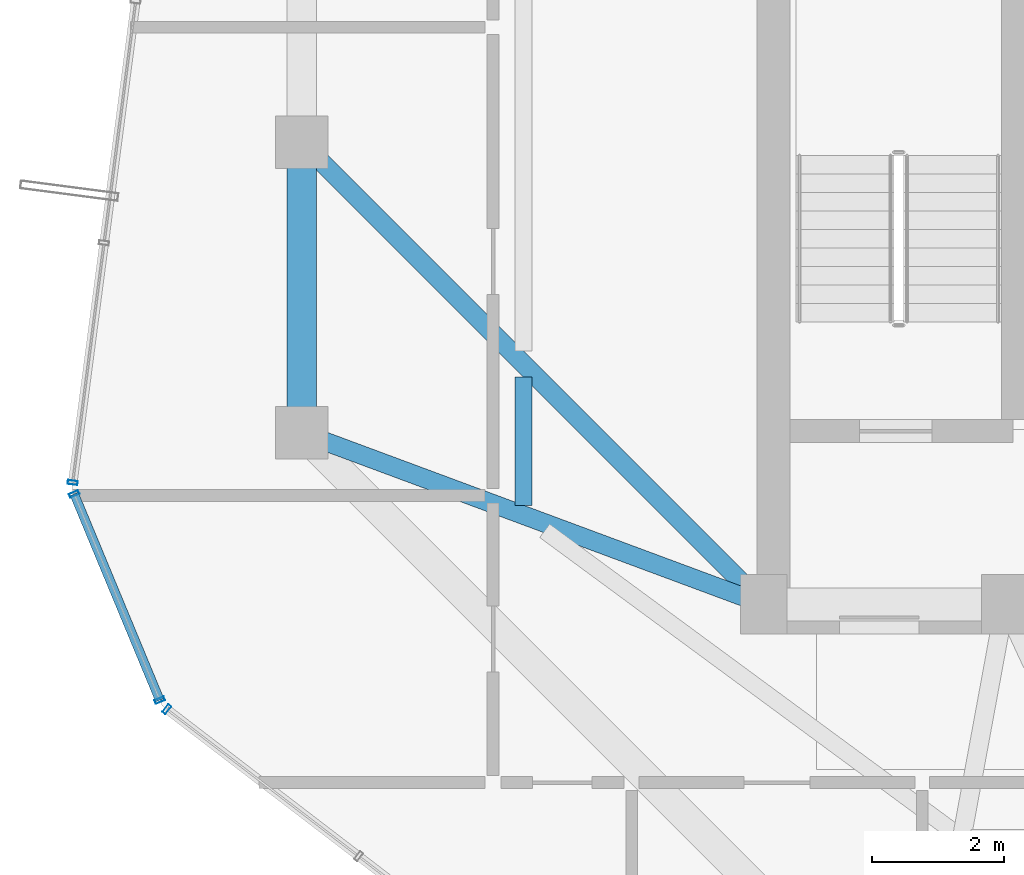
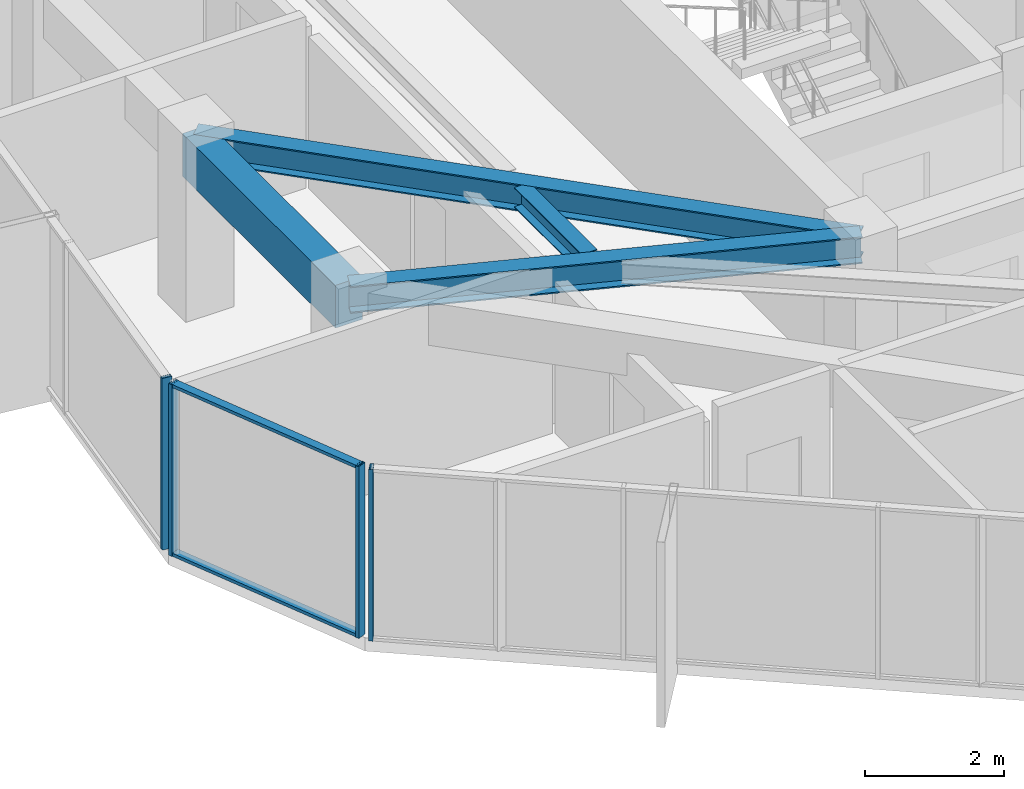
# One storey, part 6 of 31: 6 members, 4 beams, 3 elements without a shape of their own.
"""IFC4 building model written with IfcOpenShell, lengths in metres."""

from ifc_helpers import new_model, si_unit, direction, frame, origin, origin_2d, place, context, subcontext, project, spatial, rectangle, hollow_rectangle, i_section, extrude, source, transform, mapped, material, layer, layer_set, material_profile, profile_set, type_object, element, aggregate, save


model = new_model("IFC4")

# Units and contexts
model_context = context("Model", 3, precision=1e-05, world=origin(), true_north=direction((0.0, 1.0)))
body_context = subcontext(model_context, "Body", "Model", "MODEL_VIEW")
ifc_project = project(units=[si_unit("LENGTHUNIT", "METRE"), si_unit("AREAUNIT", "SQUARE_METRE"), si_unit("VOLUMEUNIT", "CUBIC_METRE"), si_unit("PLANEANGLEUNIT", "RADIAN"), si_unit("MASSUNIT", "GRAM", prefix="KILO")], contexts=[model_context])

# Site, building, storey
site_placement = place(None, origin())
site = spatial("IfcSite", under=ifc_project, at=site_placement, CompositionType="ELEMENT")
building_placement = place(site_placement, origin())
building = spatial("IfcBuilding", under=site, at=building_placement, Name="Veraguas Prism Commons", CompositionType="ELEMENT")
storey_placement = place(building_placement, frame((0.0, 0.0, 233.300048828125)))
storey = spatial("IfcBuildingStorey", under=building, at=storey_placement, Name="L66", CompositionType="ELEMENT", Elevation=233.300048828125)

# Beams
ifc_material_1 = material(Name="Concrete C50/60", Category="concrete")
ifc_material_profile_1 = material_profile(ifc_material_1, rectangle(XDim=0.449951171875, YDim=0.75, at=origin_2d()), Name="RC450X750")
ifc_profile_set_1 = profile_set([ifc_material_profile_1], Name="Concrete C50/60")
beam_type_1 = type_object("IfcBeamType", Name="Perimeter Spandrel Upper RC 450x750", PredefinedType="SPANDREL", material=ifc_profile_set_1)
beam_1_placement = place(storey_placement, frame((10.199951171875, 24.0, 2.639892578125), z_axis=(0.0, -1.0, 0.0), x_axis=(1.0, 0.0, 0.0)))
element("IfcBeam", 1, at=beam_1_placement, inside=storey, type_object=beam_type_1, Name="Perimeter Spandrel Beam L66-SP08", PredefinedType="SPANDREL", context=body_context, shape_type="SweptSolid", body=[
    extrude(rectangle(XDim=0.449951171875, YDim=0.75, at=origin_2d()), origin(), (0.0, 0.0, 1.0), 4.39990234375),
])
ifc_material_2 = material(Name="Steel ASTM A992 Grade 50", Category="steel")
ifc_material_profile_2 = material_profile(ifc_material_2, i_section(OverallWidth=0.25390625, OverallDepth=0.35302734375, WebThickness=0.009521484375, FlangeThickness=0.016357421875, at=origin_2d()), Name="W360X91")
ifc_profile_set_2 = profile_set([ifc_material_profile_2], Name="Steel ASTM A992 Grade 50")
beam_type_2 = type_object("IfcBeamType", Name="Upper Floor Joist W360x91", PredefinedType="JOIST", material=ifc_profile_set_2)
beam_2_placement = place(storey_placement, frame((13.56005859375, 20.442626953125, 2.83837890625), z_axis=(0.0, -1.0, 0.0), x_axis=(1.0, 0.0, 0.0)))
element("IfcBeam", 2, at=beam_2_placement, inside=storey, type_object=beam_type_2, Name="Composite Floor Joist L66-JS08", PredefinedType="JOIST", context=body_context, shape_type="SweptSolid", body=[
    extrude(i_section(OverallWidth=0.25390625, OverallDepth=0.35302734375, WebThickness=0.009521484375, FlangeThickness=0.016357421875, at=origin_2d()), origin(), (0.0, 0.0, 1.0), 1.94189453125),
])
ifc_material_profile_3 = material_profile(ifc_material_2, i_section(OverallWidth=0.282958984375, OverallDepth=0.471923828125, WebThickness=0.013671875, FlangeThickness=0.022216796875, at=origin_2d()), Name="W460X144")
ifc_profile_set_3 = profile_set([ifc_material_profile_3], Name="Steel ASTM A992 Grade 50")
beam_type_3 = type_object("IfcBeamType", Name="Zone 4 Radial Girder W460x144", PredefinedType="BEAM", material=ifc_profile_set_3)
beam_3_placement = place(storey_placement, frame((10.199951171875, 24.0, 2.779052734375), z_axis=(0.707106781187, -0.707106781187, 0.0), x_axis=(0.707106781187, 0.707106781187, 0.0)))
element("IfcBeam", 3, at=beam_3_placement, inside=storey, type_object=beam_type_3, Name="Radial Floor Girder L66-RD08", PredefinedType="BEAM", context=body_context, shape_type="SweptSolid", body=[
    extrude(i_section(OverallWidth=0.282958984375, OverallDepth=0.471923828125, WebThickness=0.013671875, FlangeThickness=0.022216796875, at=origin_2d()), origin(), (0.0, 0.0, 1.0), 9.8994140625),
])
beam_4_placement = place(storey_placement, frame((10.199951171875, 19.60009765625, 2.779052734375), z_axis=(0.937421003341, -0.348198021958, 0.0), x_axis=(0.348198021958, 0.937421003341, 0.0)))
element("IfcBeam", 4, at=beam_4_placement, inside=storey, type_object=beam_type_3, Name="Radial Floor Girder L66-RD09", PredefinedType="BEAM", context=body_context, shape_type="SweptSolid", body=[
    extrude(i_section(OverallWidth=0.282958984375, OverallDepth=0.471923828125, WebThickness=0.013671875, FlangeThickness=0.022216796875, at=origin_2d()), origin(), (0.0, 0.0, 1.0), 7.46728515625),
])

# Curtain wall, member
ifc_material_3 = material(Name="Anodised aluminium EN AW-6063 T6", Category="aluminium")
ifc_layer = layer(ifc_material_3, 0.14990234375, Name="Unitised Flush Curtain Wall Zone 4", Category="aluminium")
ifc_layer_set = layer_set([ifc_layer], Name="Anodised aluminium EN AW-6063 T6")
curtain_wall_type = type_object("IfcCurtainWallType", Name="Unitised Flush Curtain Wall Zone 4", PredefinedType="NOTDEFINED", material=ifc_layer_set)
curtain_wall_1_placement = place(storey_placement, origin())
curtain_wall_1 = element("IfcCurtainWall", 5, at=curtain_wall_1_placement, inside=storey, type_object=curtain_wall_type, Name="Tower Facade Curtain Wall L66-F3", PredefinedType="NOTDEFINED")
ifc_material_profile_4 = material_profile(ifc_material_3, hollow_rectangle(XDim=0.06005859375, YDim=0.14990234375, WallThickness=0.0029296875, at=origin_2d()), Name="AL60X150X3")
ifc_profile_set_4 = profile_set([ifc_material_profile_4], Name="Anodised aluminium EN AW-6063 T6")
member_type_1 = type_object("IfcMemberType", Name="Curtain Wall Mullion Upper AL 60x150x3", PredefinedType="MULLION", material=ifc_profile_set_4)
shared_shape_1 = source(origin(), body_context, "Body", "SweptSolid", [
    extrude(hollow_rectangle(XDim=0.06005859375, YDim=0.14990234375, WallThickness=0.0029296875, at=origin_2d()), origin(), (0.0, 0.0, 1.0), 3.014892578125),
])
member_1_placement = place(storey_placement, frame((6.72998046875, 18.845458984375, 0.0), z_axis=(0.0, 0.0, 1.0), x_axis=(-0.129835731937, -0.991535517625, 0.0)))
member_1 = element("IfcMember", 6, at=member_1_placement, type_object=member_type_1, Name="CW-Z4 Mullion 5", PredefinedType="MULLION", context=body_context, shape_type="MappedRepresentation", body=[
    mapped(shared_shape_1, transform((0.0, 0.0, 0.0), scale=1.0)),
])
aggregate(curtain_wall_1, [member_1])

curtain_wall_2_placement = place(storey_placement, origin())
curtain_wall_2 = element("IfcCurtainWall", 7, at=curtain_wall_2_placement, inside=storey, type_object=curtain_wall_type, Name="Tower Facade Curtain Wall L66-F4", PredefinedType="NOTDEFINED")
member_2_placement = place(storey_placement, frame((8.155517578125, 15.4111328125, 0.0), z_axis=(0.0, 0.0, 1.0), x_axis=(0.793780265613, -0.608204644773, 0.0)))
member_2 = element("IfcMember", 8, at=member_2_placement, type_object=member_type_1, Name="CW-Z4 Mullion 1", PredefinedType="MULLION", context=body_context, shape_type="MappedRepresentation", body=[
    mapped(shared_shape_1, transform((0.0, 0.0, 0.0), scale=1.0)),
])
aggregate(curtain_wall_2, [member_2])

# Curtain wall, members
curtain_wall_3_placement = place(storey_placement, origin())
curtain_wall_3 = element("IfcCurtainWall", 9, at=curtain_wall_3_placement, inside=storey, type_object=curtain_wall_type, Name="Chamfer Curtain Wall L66-C4", PredefinedType="NOTDEFINED")
member_3_placement = place(storey_placement, frame((6.7529296875, 18.673095703125, 0.0), z_axis=(0.0, 0.0, 1.0), x_axis=(0.383320268593, -0.923615489089, 0.0)))
member_3 = element("IfcMember", 10, at=member_3_placement, type_object=member_type_1, Name="CW-Z4 Mullion 1", PredefinedType="MULLION", context=body_context, shape_type="MappedRepresentation", body=[
    mapped(shared_shape_1, transform((0.0, 0.0, 0.0), scale=1.0)),
])
member_4_placement = place(storey_placement, frame((8.049560546875, 15.548828125, 0.0), z_axis=(0.0, 0.0, 1.0), x_axis=(0.383320268593, -0.923615489089, 0.0)))
member_4 = element("IfcMember", 11, at=member_4_placement, type_object=member_type_1, Name="CW-Z4 Mullion 2", PredefinedType="MULLION", context=body_context, shape_type="MappedRepresentation", body=[
    mapped(shared_shape_1, transform((0.0, 0.0, 0.0), scale=1.0)),
])
ifc_material_profile_5 = material_profile(ifc_material_3, hollow_rectangle(XDim=0.054931640625, YDim=0.135009765625, WallThickness=0.0029296875, at=origin_2d()), Name="AL55X135X3")
ifc_profile_set_5 = profile_set([ifc_material_profile_5], Name="Anodised aluminium EN AW-6063 T6")
member_type_2 = type_object("IfcMemberType", Name="Curtain Wall Transom Standard AL 55x135x3", PredefinedType="USERDEFINED", material=ifc_profile_set_5)
shared_shape_2 = source(origin(), body_context, "Body", "SweptSolid", [
    extrude(hollow_rectangle(XDim=0.054931640625, YDim=0.135009765625, WallThickness=0.0029296875, at=origin_2d()), origin(), (0.0, 0.0, 1.0), 3.382568359375),
])
member_5_placement = place(storey_placement, frame((6.7529296875, 18.673095703125, 0.02734375), z_axis=(0.383318427762, -0.923616253072, 0.0), x_axis=(0.0, 0.0, 1.0)))
member_5 = element("IfcMember", 12, at=member_5_placement, type_object=member_type_2, Name="CW-Z4 Transom 1", ObjectType="TRANSOM", PredefinedType="USERDEFINED", context=body_context, shape_type="MappedRepresentation", body=[
    mapped(shared_shape_2, transform((0.0, 0.0, 0.0), scale=1.0)),
])
member_6_placement = place(storey_placement, frame((6.7529296875, 18.673095703125, 2.987548828125), z_axis=(0.383318427762, -0.923616253072, 0.0), x_axis=(0.0, 0.0, 1.0)))
member_6 = element("IfcMember", 13, at=member_6_placement, type_object=member_type_2, Name="CW-Z4 Transom 2", ObjectType="TRANSOM", PredefinedType="USERDEFINED", context=body_context, shape_type="MappedRepresentation", body=[
    mapped(shared_shape_2, transform((0.0, 0.0, 0.0), scale=1.0)),
])
aggregate(curtain_wall_3, [member_3, member_4, member_5, member_6])

save(model, "model.ifc")
